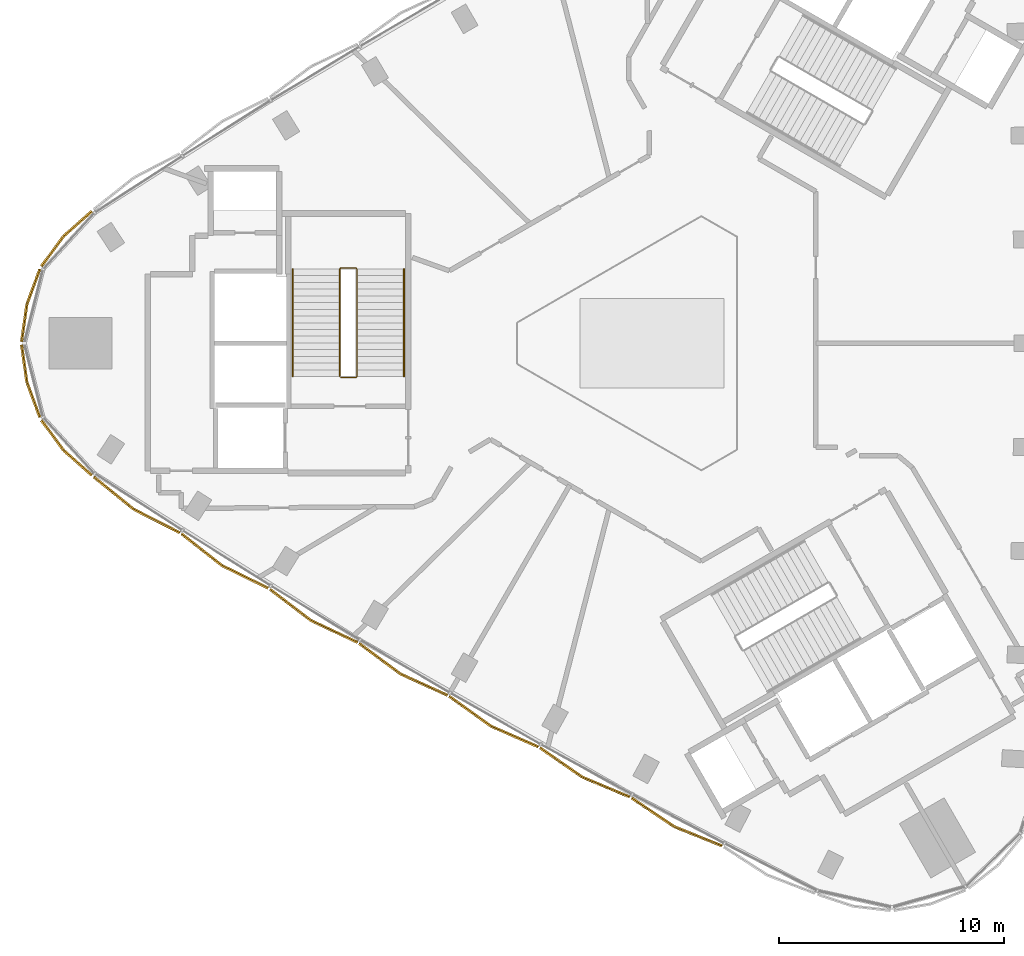
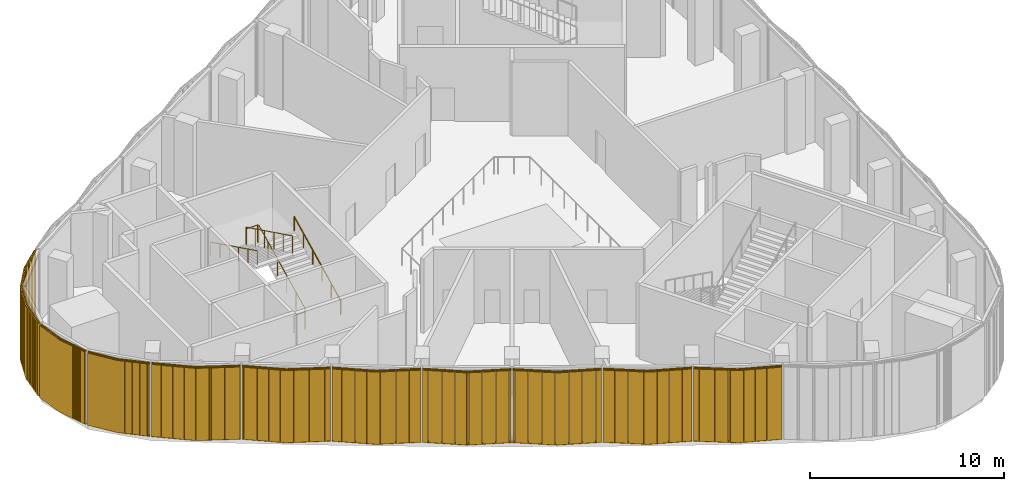
# One storey, part 11 of 15: 11 coverings, 3 railings.
"""IFC4 building model written with IfcOpenShell, lengths in metres."""

import ifcopenshell
import ifcopenshell.guid

model = None  # the IFC model being written
_history = None  # IfcOwnerHistory: only IFC2X3 demands one
_inside = {}  # id of a spatial element -> (the spatial element, [elements in it])
_under = {}  # id of a project, library or spatial element -> (it, [spatial elements below it])
_declared = {}  # id of a project -> (the project, [libraries it declares])
_typed = {}  # id of a type object -> (the type object, [elements of that type])
_made_of = {}  # id of a material, layer set ... -> (it, [elements and type objects made of it])


def new_model(schema):
    """Start an empty IFC model of exactly this schema.

    Asked for "IFC4X3", IfcOpenShell would pick the latest addendum, in which some entities
    have other attributes; the version numbers below select the first issue.
    IFC2X3 requires an IfcOwnerHistory on every rooted entity: one is made here for all.
    """
    global model, _history
    if schema == "IFC4X3":
        model = ifcopenshell.file(schema_version=(4, 3, 0, 0))
    else:
        model = ifcopenshell.file(schema=schema)
    _inside.clear()
    _under.clear()
    _declared.clear()
    _typed.clear()
    _made_of.clear()
    _history = None
    if model.schema == "IFC2X3":
        org = make("IfcOrganization", Name="unknown")
        user = make(
            "IfcPersonAndOrganization",
            ThePerson=make("IfcPerson", FamilyName="unknown"),
            TheOrganization=org,
        )
        app = make(
            "IfcApplication",
            ApplicationDeveloper=org,
            Version="unknown",
            ApplicationFullName="unknown",
            ApplicationIdentifier="unknown",
        )
        _history = make(
            "IfcOwnerHistory",
            OwningUser=user,
            OwningApplication=app,
            ChangeAction="ADDED",
            CreationDate=0,
        )
    return model


def make(cls, **values):
    """One entity of the class cls with the attributes given. An attribute that is None is left unset."""
    return model.create_entity(
        cls, **{name: value for name, value in values.items() if value is not None}
    )


def rooted(cls, **values):
    """An entity with a GlobalId (a new one), such as an element, a storey or a relation."""
    return make(cls, GlobalId=ifcopenshell.guid.new(), OwnerHistory=_history, **values)


def si_unit(unit_type, name, prefix=None):
    """IfcSIUnit, for example si_unit("LENGTHUNIT", "METRE", prefix="MILLI")."""
    return make("IfcSIUnit", UnitType=unit_type, Prefix=prefix, Name=name)


def assignment(units):
    """IfcUnitAssignment: the units of a project."""
    return None if units is None else make("IfcUnitAssignment", Units=units)


def point(xyz):
    """IfcCartesianPoint."""
    return None if xyz is None else make("IfcCartesianPoint", Coordinates=xyz)


def direction(xyz):
    """IfcDirection."""
    return None if xyz is None else make("IfcDirection", DirectionRatios=xyz)


def frame(location, z_axis=None, x_axis=None):
    """IfcAxis2Placement3D, a coordinate frame: its origin and axes. An axis left out is left unset."""
    return make(
        "IfcAxis2Placement3D",
        Location=point(location),
        Axis=direction(z_axis),
        RefDirection=direction(x_axis),
    )


def frame_2d(location, x_axis=None):
    """IfcAxis2Placement2D, a coordinate frame in the plane: its origin and x axis."""
    return make(
        "IfcAxis2Placement2D", Location=point(location), RefDirection=direction(x_axis)
    )


def origin():
    """The frame at (0, 0, 0) with its axes left unset."""
    return frame((0.0, 0.0, 0.0))


def origin_2d():
    """The frame at (0, 0) in the plane with its x axis left unset."""
    return frame_2d((0.0, 0.0))


def place(relative_to, where):
    """IfcLocalPlacement: puts the frame where relative to a parent placement (None: the world)."""
    return make(
        "IfcLocalPlacement", PlacementRelTo=relative_to, RelativePlacement=where
    )


def context(
    kind, dimensions, precision=None, world=None, true_north=None, identifier=None
):
    """IfcGeometricRepresentationContext, for example the 3D "Model" context."""
    return make(
        "IfcGeometricRepresentationContext",
        ContextIdentifier=identifier,
        ContextType=kind,
        CoordinateSpaceDimension=dimensions,
        Precision=precision,
        WorldCoordinateSystem=world,
        TrueNorth=true_north,
    )


def subcontext(parent, identifier, kind, view, scale=None):
    """IfcGeometricRepresentationSubContext, for example "Body" below "Model"."""
    return make(
        "IfcGeometricRepresentationSubContext",
        ContextIdentifier=identifier,
        ContextType=kind,
        ParentContext=parent,
        TargetScale=scale,
        TargetView=view,
    )


def project(units=None, contexts=None):
    """IfcProject with its units and contexts."""
    return rooted(
        "IfcProject",
        Name="project",
        RepresentationContexts=contexts,
        UnitsInContext=assignment(units),
    )


def spatial(cls, under=None, at=None, **own):
    """A site, building, storey or space (cls), placed at a placement, below another one or the project."""
    s = rooted(cls, ObjectPlacement=at, **own)
    if under is not None:
        _under.setdefault(under.id(), (under, []))[1].append(s)
    return s


def profile(cls, at=None, kind="AREA", **sizes):
    """A parametric profile (cls). Its sizes go by their IFC names, for example OverallWidth=200.0."""
    return make(cls, ProfileType=kind, Position=at, **sizes)


def rectangle(**sizes):
    """IfcRectangleProfileDef."""
    return profile("IfcRectangleProfileDef", **sizes)


def circle(**sizes):
    """IfcCircleProfileDef."""
    return profile("IfcCircleProfileDef", **sizes)


def extrude(swept, where, along, depth):
    """IfcExtrudedAreaSolid: the profile swept, set in the frame where, extruded along a direction by depth."""
    return make(
        "IfcExtrudedAreaSolid",
        SweptArea=swept,
        Position=where,
        ExtrudedDirection=direction(along),
        Depth=depth,
    )


def shape(context_of_items, identifier, shape_type, items):
    """IfcShapeRepresentation: the items that make up one representation, for example the "Body"."""
    return make(
        "IfcShapeRepresentation",
        ContextOfItems=context_of_items,
        RepresentationIdentifier=identifier,
        RepresentationType=shape_type,
        Items=items,
    )


def source(mapping_origin, context_of_items, identifier, shape_type, items):
    """IfcRepresentationMap: a shape defined once, which mapped items show again and again."""
    return make(
        "IfcRepresentationMap",
        MappingOrigin=mapping_origin,
        MappedRepresentation=shape(context_of_items, identifier, shape_type, items),
    )


def transform(
    local_origin,
    x_axis=None,
    y_axis=None,
    z_axis=None,
    scale=None,
    scale2=None,
    scale3=None,
    uniform=True,
):
    """IfcCartesianTransformationOperator3D, or its non-uniform kind. x_axis, y_axis, z_axis: its Axis1, 2, 3."""
    if uniform:
        return make(
            "IfcCartesianTransformationOperator3D",
            Axis1=direction(x_axis),
            Axis2=direction(y_axis),
            LocalOrigin=point(local_origin),
            Scale=scale,
            Axis3=direction(z_axis),
        )
    return make(
        "IfcCartesianTransformationOperator3DnonUniform",
        Axis1=direction(x_axis),
        Axis2=direction(y_axis),
        LocalOrigin=point(local_origin),
        Scale=scale,
        Axis3=direction(z_axis),
        Scale2=scale2,
        Scale3=scale3,
    )


def mapped(mapping_source, mapping_target):
    """IfcMappedItem: shows the shape of a source again, moved by a transform."""
    return make(
        "IfcMappedItem", MappingSource=mapping_source, MappingTarget=mapping_target
    )


def material(Name=None, Category=None):
    """IfcMaterial."""
    return make("IfcMaterial", Name=Name, Category=Category)


def made_of(thing, what):
    """Note that an element or type object is made of a material, layer set ...; save() writes the relation."""
    if what is not None:
        _made_of.setdefault(what.id(), (what, []))[1].append(thing)
    return thing


def type_object(cls, material=None, **own):
    """A type object (cls), such as IfcWallType, which elements share."""
    return made_of(rooted(cls, **own), material)


def element(
    cls,
    number,
    at=None,
    inside=None,
    cuts=None,
    type_object=None,
    material=None,
    context=None,
    identifier="Body",
    shape_type=None,
    held_by="IfcProductDefinitionShape",
    body=None,
    shapes=None,
    **own,
):
    """One element of the class cls, such as IfcWall. Its Tag is "e" and its number.

    at: its placement. inside: the storey or other place that contains it. cuts: it is an
    opening in that element (IfcRelVoidsElement). A single representation is given by context,
    identifier, shape_type and body (its items); several are given by shapes. held_by: the class
    of the entity that holds the representations. save() writes the other relations.
    """
    e = rooted(cls, Tag="e%d" % number, ObjectPlacement=at, **own)
    if body is not None:
        shapes = [shape(context, identifier, shape_type, body)]
    if shapes is not None:
        e.Representation = make(held_by, Representations=shapes)
    if inside is not None:
        _inside.setdefault(inside.id(), (inside, []))[1].append(e)
    if cuts is not None:
        rooted(
            "IfcRelVoidsElement", RelatingBuildingElement=cuts, RelatedOpeningElement=e
        )
    if type_object is not None:
        _typed.setdefault(type_object.id(), (type_object, []))[1].append(e)
    return made_of(e, material)


def aggregate(whole, parts):
    """IfcRelAggregates: a whole, such as a stair, and the parts it consists of."""
    return rooted("IfcRelAggregates", RelatingObject=whole, RelatedObjects=parts)


def save(model, path):
    """Write the relations noted so far, then the file.

    IfcRelAggregates (storeys below a building ...), IfcRelContainedInSpatialStructure (elements
    in a storey), IfcRelDefinesByType, IfcRelAssociatesMaterial and IfcRelDeclares: one each for
    every whole, place, type object, material and project.
    """
    for whole, parts in _under.values():
        aggregate(whole, parts)
    for where, things in _inside.values():
        rooted(
            "IfcRelContainedInSpatialStructure",
            RelatedElements=things,
            RelatingStructure=where,
        )
    for kind, things in _typed.values():
        rooted("IfcRelDefinesByType", RelatedObjects=things, RelatingType=kind)
    for what, things in _made_of.values():
        rooted("IfcRelAssociatesMaterial", RelatedObjects=things, RelatingMaterial=what)
    for by, libraries in _declared.values():
        rooted("IfcRelDeclares", RelatingContext=by, RelatedDefinitions=libraries)
    model.write(path)


model = new_model("IFC4")

# Units and contexts
model_context = context("Model", 3, precision=1e-05, world=origin(), true_north=direction((0.0, 1.0)))
body_context = subcontext(model_context, "Body", "Model", "MODEL_VIEW")
ifc_project = project(units=[si_unit("LENGTHUNIT", "METRE"), si_unit("AREAUNIT", "SQUARE_METRE"), si_unit("VOLUMEUNIT", "CUBIC_METRE"), si_unit("PLANEANGLEUNIT", "RADIAN"), si_unit("MASSUNIT", "GRAM", prefix="KILO")], contexts=[model_context])

# Site, building, storey
site_placement = place(None, origin())
site = spatial("IfcSite", under=ifc_project, at=site_placement, CompositionType="ELEMENT")
building_placement = place(site_placement, origin())
building = spatial("IfcBuilding", under=site, at=building_placement, Name="Tamra Quay Hotel Tower", CompositionType="ELEMENT")
storey_placement = place(building_placement, frame((0.0, 0.0, 216.39990234375)))
storey = spatial("IfcBuildingStorey", under=building, at=storey_placement, Name="L54", CompositionType="ELEMENT", Elevation=216.39990234375)

# Railings
ifc_material_1 = material(Name="Stair guard 1100")
railing_type_1 = type_object("IfcRailingType", Name="Stair guard 1100", PredefinedType="GUARDRAIL", material=ifc_material_1)
railing_1_placement = place(storey_placement, frame((-13.84130859375, -1.530029296875, 0.0)))
element("IfcRailing", 1, at=railing_1_placement, inside=storey, type_object=railing_type_1, Name="GR", PredefinedType="GUARDRAIL", context=body_context, shape_type="SweptSolid", body=[
    extrude(circle(Radius=0.02392578125, at=origin_2d()), frame((0.0, 0.0, 1.076171875), z_axis=(1.0, 0.0, 0.0), x_axis=(0.0, 1.0, 0.0)), (0.0, 0.0, 1.0), 0.658935546875),
    extrude(circle(Radius=0.02392578125, at=origin_2d()), frame((0.658935546875, 0.0, 1.076171875), z_axis=(0.306393960863, 0.306393960863, 0.901246626342), x_axis=(-0.707106781187, 0.707106781187, 0.0)), (0.0, 0.0, 1.0), 0.163330078125),
    extrude(circle(Radius=0.02392578125, at=origin_2d()), frame((0.708984375, 0.050048828125, 1.22314453125), z_axis=(0.0, 0.897347884982, 0.441323887092), x_axis=(-1.0, 0.0, 0.0)), (0.0, 0.0, 1.0), 5.331298828125),
    extrude(circle(Radius=0.02392578125, at=origin_2d()), frame((0.708984375, 4.833984375, 3.576171875), z_axis=(-0.707106781187, 0.707106781187, 0.0), x_axis=(-0.707106781187, -0.707106781187, 0.0)), (0.0, 0.0, 1.0), 0.07080078125),
    extrude(circle(Radius=0.02392578125, at=origin_2d()), frame((0.658935546875, 4.884033203125, 3.576171875), z_axis=(-1.0, 0.0, 0.0), x_axis=(0.0, -1.0, 0.0)), (0.0, 0.0, 1.0), 0.658935546875),
    extrude(circle(Radius=0.02392578125, at=origin_2d()), frame((0.0, 4.884033203125, 3.576171875), z_axis=(-0.306393960863, -0.306393960863, 0.901246626342), x_axis=(0.707106781187, -0.707106781187, 0.0)), (0.0, 0.0, 1.0), 0.163330078125),
    extrude(circle(Radius=0.02392578125, at=origin_2d()), frame((-0.050048828125, 4.833984375, 3.72314453125), z_axis=(0.0, -0.897347884982, 0.441323887092), x_axis=(1.0, 0.0, 0.0)), (0.0, 0.0, 1.0), 5.331298828125),
    extrude(circle(Radius=0.02099609375, at=origin_2d()), origin(), (0.0, 0.0, 1.0), 1.052001953125),
    extrude(circle(Radius=0.02099609375, at=origin_2d()), frame((0.658935546875, 0.0, 0.0)), (0.0, 0.0, 1.0), 1.052001953125),
    extrude(circle(Radius=0.02099609375, at=origin_2d()), frame((0.708984375, 0.050048828125, 0.147216796875)), (0.0, 0.0, 1.0), 1.052001953125),
    extrude(circle(Radius=0.02099609375, at=origin_2d()), frame((0.708984375, 1.0068359375, 0.61767578125)), (0.0, 0.0, 1.0), 1.052001953125),
    extrude(circle(Radius=0.02099609375, at=origin_2d()), frame((0.708984375, 1.963623046875, 1.08837890625)), (0.0, 0.0, 1.0), 1.052001953125),
    extrude(circle(Radius=0.02099609375, at=origin_2d()), frame((0.708984375, 2.92041015625, 1.558837890625)), (0.0, 0.0, 1.0), 1.052001953125),
    extrude(circle(Radius=0.02099609375, at=origin_2d()), frame((0.708984375, 3.877197265625, 2.029541015625)), (0.0, 0.0, 1.0), 1.052001953125),
    extrude(circle(Radius=0.02099609375, at=origin_2d()), frame((0.708984375, 4.833984375, 2.5)), (0.0, 0.0, 1.0), 1.052001953125),
    extrude(circle(Radius=0.02099609375, at=origin_2d()), frame((0.658935546875, 4.884033203125, 2.5)), (0.0, 0.0, 1.0), 1.052001953125),
    extrude(circle(Radius=0.02099609375, at=origin_2d()), frame((0.0, 4.884033203125, 2.5)), (0.0, 0.0, 1.0), 1.052001953125),
    extrude(circle(Radius=0.02099609375, at=origin_2d()), frame((-0.050048828125, 4.833984375, 2.647216796875)), (0.0, 0.0, 1.0), 1.052001953125),
    extrude(circle(Radius=0.02099609375, at=origin_2d()), frame((-0.050048828125, 3.877197265625, 3.11767578125)), (0.0, 0.0, 1.0), 1.052001953125),
    extrude(circle(Radius=0.02099609375, at=origin_2d()), frame((-0.050048828125, 2.92041015625, 3.58837890625)), (0.0, 0.0, 1.0), 1.052001953125),
    extrude(circle(Radius=0.02099609375, at=origin_2d()), frame((-0.050048828125, 1.963623046875, 4.058837890625)), (0.0, 0.0, 1.0), 1.052001953125),
    extrude(circle(Radius=0.02099609375, at=origin_2d()), frame((-0.050048828125, 1.0068359375, 4.529541015625)), (0.0, 0.0, 1.0), 1.052001953125),
    extrude(circle(Radius=0.02099609375, at=origin_2d()), frame((-0.050048828125, 0.050048828125, 5.0)), (0.0, 0.0, 1.0), 1.052001953125),
])
ifc_material_2 = material(Name="Stair handrail 900")
railing_type_2 = type_object("IfcRailingType", Name="Stair handrail 900", PredefinedType="HANDRAIL", material=ifc_material_2)
railing_2_placement = place(storey_placement, frame((-11.0322265625, -1.47998046875, 0.147216796875)))
element("IfcRailing", 2, at=railing_2_placement, inside=storey, type_object=railing_type_2, Name="HR", PredefinedType="HANDRAIL", context=body_context, shape_type="SweptSolid", body=[
    extrude(circle(Radius=0.02392578125, at=origin_2d()), frame((0.0, 0.0, 0.8759765625), z_axis=(0.0, 0.897347884982, 0.441323887092), x_axis=(-1.0, 0.0, 0.0)), (0.0, 0.0, 1.0), 5.331298828125),
    extrude(circle(Radius=0.02099609375, at=origin_2d()), origin(), (0.0, 0.0, 1.0), 0.851806640625),
    extrude(circle(Radius=0.02099609375, at=origin_2d()), frame((0.0, 0.956787109375, 0.470458984375)), (0.0, 0.0, 1.0), 0.851806640625),
    extrude(circle(Radius=0.02099609375, at=origin_2d()), frame((0.0, 1.91357421875, 0.941162109375)), (0.0, 0.0, 1.0), 0.851806640625),
    extrude(circle(Radius=0.02099609375, at=origin_2d()), frame((0.0, 2.870361328125, 1.41162109375)), (0.0, 0.0, 1.0), 0.851806640625),
    extrude(circle(Radius=0.02099609375, at=origin_2d()), frame((0.0, 3.8271484375, 1.88232421875)), (0.0, 0.0, 1.0), 0.851806640625),
    extrude(circle(Radius=0.02099609375, at=origin_2d()), frame((0.0, 4.783935546875, 2.352783203125)), (0.0, 0.0, 1.0), 0.851806640625),
])
railing_3_placement = place(storey_placement, frame((-15.9912109375, 3.303955078125, 2.647216796875)))
element("IfcRailing", 3, at=railing_3_placement, inside=storey, type_object=railing_type_2, Name="HR", PredefinedType="HANDRAIL", context=body_context, shape_type="SweptSolid", body=[
    extrude(circle(Radius=0.02392578125, at=origin_2d()), frame((0.0, 0.0, 0.8759765625), z_axis=(0.0, -0.897347884982, 0.441323887092), x_axis=(1.0, 0.0, 0.0)), (0.0, 0.0, 1.0), 5.331298828125),
    extrude(circle(Radius=0.02099609375, at=origin_2d()), origin(), (0.0, 0.0, 1.0), 0.851806640625),
    extrude(circle(Radius=0.02099609375, at=origin_2d()), frame((0.0, -0.956787109375, 0.470458984375)), (0.0, 0.0, 1.0), 0.851806640625),
    extrude(circle(Radius=0.02099609375, at=origin_2d()), frame((0.0, -1.91357421875, 0.941162109375)), (0.0, 0.0, 1.0), 0.851806640625),
    extrude(circle(Radius=0.02099609375, at=origin_2d()), frame((0.0, -2.870361328125, 1.41162109375)), (0.0, 0.0, 1.0), 0.851806640625),
    extrude(circle(Radius=0.02099609375, at=origin_2d()), frame((0.0, -3.8271484375, 1.88232421875)), (0.0, 0.0, 1.0), 0.851806640625),
    extrude(circle(Radius=0.02099609375, at=origin_2d()), frame((0.0, -4.783935546875, 2.352783203125)), (0.0, 0.0, 1.0), 0.851806640625),
])

# Coverings
ifc_material_3 = material(Name="Terracotta baguette extruded", Category="masonry")
covering_type_1 = type_object("IfcCoveringType", Name="BAGUETTE SCREEN CORNER-SHALLOW H4650", PredefinedType="USERDEFINED", material=ifc_material_3)
shared_shape_1 = source(origin(), body_context, "Body", "SweptSolid", [
    extrude(rectangle(XDim=1.671630859375, YDim=0.06005859375, at=frame_2d((0.8359375, 0.030029296875))), frame((-1.668701171875, -0.0576171875, -0.1201171875), z_axis=(0.0, 0.0, 1.0), x_axis=(0.994521895368, -0.104528463268, 0.0)), (0.0, 0.0, 1.0), 0.1201171875),
    extrude(rectangle(XDim=1.671630859375, YDim=0.06005859375, at=frame_2d((0.8359375, 0.030029296875))), frame((-1.668701171875, -0.0576171875, -4.64990234375), z_axis=(0.0, 0.0, 1.0), x_axis=(0.994521895368, -0.104528463268, 0.0)), (0.0, 0.0, 1.0), 0.1201171875),
    extrude(rectangle(XDim=0.094970703125, YDim=0.10009765625, at=frame_2d((0.04736328125, 0.050048828125))), frame((-1.6611328125, -0.133056640625, -4.590087890625)), (0.0, 0.0, 1.0), 4.530029296875),
    extrude(rectangle(XDim=0.094970703125, YDim=0.10009765625, at=frame_2d((0.04736328125, 0.050048828125))), frame((-1.563232421875, -0.143310546875, -4.590087890625)), (0.0, 0.0, 1.0), 4.530029296875),
    extrude(rectangle(XDim=0.094970703125, YDim=0.10009765625, at=frame_2d((0.04736328125, 0.050048828125))), frame((-1.465576171875, -0.15380859375, -4.590087890625)), (0.0, 0.0, 1.0), 4.530029296875),
    extrude(rectangle(XDim=0.094970703125, YDim=0.10009765625, at=frame_2d((0.04736328125, 0.050048828125))), frame((-1.36767578125, -0.1640625, -4.590087890625)), (0.0, 0.0, 1.0), 4.530029296875),
    extrude(rectangle(XDim=0.094970703125, YDim=0.10009765625, at=frame_2d((0.04736328125, 0.050048828125))), frame((-1.27001953125, -0.17431640625, -4.590087890625)), (0.0, 0.0, 1.0), 4.530029296875),
    extrude(rectangle(XDim=0.094970703125, YDim=0.10009765625, at=frame_2d((0.04736328125, 0.050048828125))), frame((-1.172119140625, -0.1845703125, -4.590087890625)), (0.0, 0.0, 1.0), 4.530029296875),
    extrude(rectangle(XDim=0.094970703125, YDim=0.10009765625, at=frame_2d((0.04736328125, 0.050048828125))), frame((-1.07421875, -0.19482421875, -4.590087890625)), (0.0, 0.0, 1.0), 4.530029296875),
    extrude(rectangle(XDim=0.094970703125, YDim=0.10009765625, at=frame_2d((0.04736328125, 0.050048828125))), frame((-0.9765625, -0.205078125, -4.590087890625)), (0.0, 0.0, 1.0), 4.530029296875),
    extrude(rectangle(XDim=0.094970703125, YDim=0.10009765625, at=frame_2d((0.04736328125, 0.050048828125))), frame((-0.878662109375, -0.21533203125, -4.590087890625)), (0.0, 0.0, 1.0), 4.530029296875),
    extrude(rectangle(XDim=0.094970703125, YDim=0.10009765625, at=frame_2d((0.04736328125, 0.050048828125))), frame((-0.781005859375, -0.2255859375, -4.590087890625)), (0.0, 0.0, 1.0), 4.530029296875),
    extrude(rectangle(XDim=0.094970703125, YDim=0.10009765625, at=frame_2d((0.04736328125, 0.050048828125))), frame((-0.68310546875, -0.23583984375, -4.590087890625)), (0.0, 0.0, 1.0), 4.530029296875),
    extrude(rectangle(XDim=0.094970703125, YDim=0.10009765625, at=frame_2d((0.04736328125, 0.050048828125))), frame((-0.58544921875, -0.24609375, -4.590087890625)), (0.0, 0.0, 1.0), 4.530029296875),
    extrude(rectangle(XDim=0.094970703125, YDim=0.10009765625, at=frame_2d((0.04736328125, 0.050048828125))), frame((-0.487548828125, -0.256591796875, -4.590087890625)), (0.0, 0.0, 1.0), 4.530029296875),
    extrude(rectangle(XDim=0.094970703125, YDim=0.10009765625, at=frame_2d((0.04736328125, 0.050048828125))), frame((-0.389892578125, -0.266845703125, -4.590087890625)), (0.0, 0.0, 1.0), 4.530029296875),
    extrude(rectangle(XDim=0.094970703125, YDim=0.10009765625, at=frame_2d((0.04736328125, 0.050048828125))), frame((-0.2919921875, -0.277099609375, -4.590087890625)), (0.0, 0.0, 1.0), 4.530029296875),
    extrude(rectangle(XDim=0.094970703125, YDim=0.10009765625, at=frame_2d((0.04736328125, 0.050048828125))), frame((-0.194091796875, -0.287353515625, -4.590087890625)), (0.0, 0.0, 1.0), 4.530029296875),
    extrude(rectangle(XDim=0.094970703125, YDim=0.10009765625, at=frame_2d((0.04736328125, 0.050048828125))), frame((-0.096435546875, -0.297607421875, -4.590087890625)), (0.0, 0.0, 1.0), 4.530029296875),
    extrude(rectangle(XDim=1.671630859375, YDim=0.06005859375, at=frame_2d((0.8359375, 0.030029296875))), frame((0.00634765625, -0.232421875, -0.1201171875), z_axis=(0.0, 0.0, 1.0), x_axis=(0.994521895368, 0.104528463268, 0.0)), (0.0, 0.0, 1.0), 0.1201171875),
    extrude(rectangle(XDim=1.671630859375, YDim=0.06005859375, at=frame_2d((0.8359375, 0.030029296875))), frame((0.00634765625, -0.232421875, -4.64990234375), z_axis=(0.0, 0.0, 1.0), x_axis=(0.994521895368, 0.104528463268, 0.0)), (0.0, 0.0, 1.0), 0.1201171875),
    extrude(rectangle(XDim=0.094970703125, YDim=0.10009765625, at=frame_2d((0.04736328125, 0.050048828125))), frame((0.00146484375, -0.297607421875, -4.590087890625)), (0.0, 0.0, 1.0), 4.530029296875),
    extrude(rectangle(XDim=0.094970703125, YDim=0.10009765625, at=frame_2d((0.04736328125, 0.050048828125))), frame((0.09912109375, -0.287353515625, -4.590087890625)), (0.0, 0.0, 1.0), 4.530029296875),
    extrude(rectangle(XDim=0.094970703125, YDim=0.10009765625, at=frame_2d((0.04736328125, 0.050048828125))), frame((0.197021484375, -0.277099609375, -4.590087890625)), (0.0, 0.0, 1.0), 4.530029296875),
    extrude(rectangle(XDim=0.094970703125, YDim=0.10009765625, at=frame_2d((0.04736328125, 0.050048828125))), frame((0.294677734375, -0.266845703125, -4.590087890625)), (0.0, 0.0, 1.0), 4.530029296875),
    extrude(rectangle(XDim=0.094970703125, YDim=0.10009765625, at=frame_2d((0.04736328125, 0.050048828125))), frame((0.392578125, -0.256591796875, -4.590087890625)), (0.0, 0.0, 1.0), 4.530029296875),
    extrude(rectangle(XDim=0.094970703125, YDim=0.10009765625, at=frame_2d((0.04736328125, 0.050048828125))), frame((0.490478515625, -0.24609375, -4.590087890625)), (0.0, 0.0, 1.0), 4.530029296875),
    extrude(rectangle(XDim=0.094970703125, YDim=0.10009765625, at=frame_2d((0.04736328125, 0.050048828125))), frame((0.588134765625, -0.23583984375, -4.590087890625)), (0.0, 0.0, 1.0), 4.530029296875),
    extrude(rectangle(XDim=0.094970703125, YDim=0.10009765625, at=frame_2d((0.04736328125, 0.050048828125))), frame((0.68603515625, -0.2255859375, -4.590087890625)), (0.0, 0.0, 1.0), 4.530029296875),
    extrude(rectangle(XDim=0.094970703125, YDim=0.10009765625, at=frame_2d((0.04736328125, 0.050048828125))), frame((0.78369140625, -0.21533203125, -4.590087890625)), (0.0, 0.0, 1.0), 4.530029296875),
    extrude(rectangle(XDim=0.094970703125, YDim=0.10009765625, at=frame_2d((0.04736328125, 0.050048828125))), frame((0.881591796875, -0.205078125, -4.590087890625)), (0.0, 0.0, 1.0), 4.530029296875),
    extrude(rectangle(XDim=0.094970703125, YDim=0.10009765625, at=frame_2d((0.04736328125, 0.050048828125))), frame((0.979248046875, -0.19482421875, -4.590087890625)), (0.0, 0.0, 1.0), 4.530029296875),
    extrude(rectangle(XDim=0.094970703125, YDim=0.10009765625, at=frame_2d((0.04736328125, 0.050048828125))), frame((1.0771484375, -0.1845703125, -4.590087890625)), (0.0, 0.0, 1.0), 4.530029296875),
    extrude(rectangle(XDim=0.094970703125, YDim=0.10009765625, at=frame_2d((0.04736328125, 0.050048828125))), frame((1.175048828125, -0.17431640625, -4.590087890625)), (0.0, 0.0, 1.0), 4.530029296875),
    extrude(rectangle(XDim=0.094970703125, YDim=0.10009765625, at=frame_2d((0.04736328125, 0.050048828125))), frame((1.272705078125, -0.1640625, -4.590087890625)), (0.0, 0.0, 1.0), 4.530029296875),
    extrude(rectangle(XDim=0.094970703125, YDim=0.10009765625, at=frame_2d((0.04736328125, 0.050048828125))), frame((1.37060546875, -0.15380859375, -4.590087890625)), (0.0, 0.0, 1.0), 4.530029296875),
    extrude(rectangle(XDim=0.094970703125, YDim=0.10009765625, at=frame_2d((0.04736328125, 0.050048828125))), frame((1.46826171875, -0.143310546875, -4.590087890625)), (0.0, 0.0, 1.0), 4.530029296875),
    extrude(rectangle(XDim=0.094970703125, YDim=0.10009765625, at=frame_2d((0.04736328125, 0.050048828125))), frame((1.566162109375, -0.133056640625, -4.590087890625)), (0.0, 0.0, 1.0), 4.530029296875),
])
for number, where, z_axis, x_axis, name in (
    (4, (-26.000732421875, 4.607666015625, 4.650146484375), (0.0, 0.0, 1.0), (-0.675437746601, -0.737417012596, 0.0), "Baguette screen L54.NW.c08"),
    (5, (-27.584716796875, 1.669189453125, 4.650146484375), (0.0, 0.0, 1.0), (-0.244676516252, -0.969604766075, 0.0), "Baguette screen L54.NW.c09"),
    (6, (-27.584716796875, -1.669189453125, 4.650146484375), (0.0, 0.0, 1.0), (0.244676516252, -0.969604766075, 0.0), "Baguette screen L54.NW.c10"),
    (7, (-26.000732421875, -4.607666015625, 4.650146484375), (0.0, 0.0, 1.0), (0.675437746601, -0.737417012596, 0.0), "Baguette screen L54.NW.c11"),
):
    element("IfcCovering", number, at=place(storey_placement, frame(where, z_axis=z_axis, x_axis=x_axis)), inside=storey, type_object=covering_type_1, Name=name, ObjectType="BAGUETTE SCREEN", PredefinedType="USERDEFINED", context=body_context, shape_type="MappedRepresentation", body=[
        mapped(shared_shape_1, transform((0.0, 0.0, 0.0), scale=1.0)),
    ])
covering_type_2 = type_object("IfcCoveringType", Name="BAGUETTE SCREEN SW-SHALLOW H4650", PredefinedType="USERDEFINED", material=ifc_material_3)
shared_shape_2 = source(origin(), body_context, "Body", "SweptSolid", [
    extrude(rectangle(XDim=2.295166015625, YDim=0.06005859375, at=frame_2d((1.1474609375, 0.030029296875))), frame((-2.288818359375, -0.0576171875, -0.1201171875), z_axis=(0.0, 0.0, 1.0), x_axis=(0.994521895368, -0.104528463268, 0.0)), (0.0, 0.0, 1.0), 0.1201171875),
    extrude(rectangle(XDim=2.295166015625, YDim=0.06005859375, at=frame_2d((1.1474609375, 0.030029296875))), frame((-2.288818359375, -0.0576171875, -4.64990234375), z_axis=(0.0, 0.0, 1.0), x_axis=(0.994521895368, -0.104528463268, 0.0)), (0.0, 0.0, 1.0), 0.1201171875),
    extrude(rectangle(XDim=0.094970703125, YDim=0.10009765625, at=frame_2d((0.04736328125, 0.050048828125))), frame((-2.2802734375, -0.13330078125, -4.590087890625)), (0.0, 0.0, 1.0), 4.530029296875),
    extrude(rectangle(XDim=0.094970703125, YDim=0.10009765625, at=frame_2d((0.04736328125, 0.050048828125))), frame((-2.18115234375, -0.1435546875, -4.590087890625)), (0.0, 0.0, 1.0), 4.530029296875),
    extrude(rectangle(XDim=0.094970703125, YDim=0.10009765625, at=frame_2d((0.04736328125, 0.050048828125))), frame((-2.081787109375, -0.154052734375, -4.590087890625)), (0.0, 0.0, 1.0), 4.530029296875),
    extrude(rectangle(XDim=0.094970703125, YDim=0.10009765625, at=frame_2d((0.04736328125, 0.050048828125))), frame((-1.982666015625, -0.16455078125, -4.590087890625)), (0.0, 0.0, 1.0), 4.530029296875),
    extrude(rectangle(XDim=0.094970703125, YDim=0.10009765625, at=frame_2d((0.04736328125, 0.050048828125))), frame((-1.88330078125, -0.175048828125, -4.590087890625)), (0.0, 0.0, 1.0), 4.530029296875),
    extrude(rectangle(XDim=0.094970703125, YDim=0.10009765625, at=frame_2d((0.04736328125, 0.050048828125))), frame((-1.7841796875, -0.185302734375, -4.590087890625)), (0.0, 0.0, 1.0), 4.530029296875),
    extrude(rectangle(XDim=0.094970703125, YDim=0.10009765625, at=frame_2d((0.04736328125, 0.050048828125))), frame((-1.68505859375, -0.19580078125, -4.590087890625)), (0.0, 0.0, 1.0), 4.530029296875),
    extrude(rectangle(XDim=0.094970703125, YDim=0.10009765625, at=frame_2d((0.04736328125, 0.050048828125))), frame((-1.585693359375, -0.206298828125, -4.590087890625)), (0.0, 0.0, 1.0), 4.530029296875),
    extrude(rectangle(XDim=0.094970703125, YDim=0.10009765625, at=frame_2d((0.04736328125, 0.050048828125))), frame((-1.486572265625, -0.216552734375, -4.590087890625)), (0.0, 0.0, 1.0), 4.530029296875),
    extrude(rectangle(XDim=0.094970703125, YDim=0.10009765625, at=frame_2d((0.04736328125, 0.050048828125))), frame((-1.38720703125, -0.22705078125, -4.590087890625)), (0.0, 0.0, 1.0), 4.530029296875),
    extrude(rectangle(XDim=0.094970703125, YDim=0.10009765625, at=frame_2d((0.04736328125, 0.050048828125))), frame((-1.2880859375, -0.237548828125, -4.590087890625)), (0.0, 0.0, 1.0), 4.530029296875),
    extrude(rectangle(XDim=0.094970703125, YDim=0.10009765625, at=frame_2d((0.04736328125, 0.050048828125))), frame((-1.188720703125, -0.248046875, -4.590087890625)), (0.0, 0.0, 1.0), 4.530029296875),
    extrude(rectangle(XDim=0.094970703125, YDim=0.10009765625, at=frame_2d((0.04736328125, 0.050048828125))), frame((-1.089599609375, -0.25830078125, -4.590087890625)), (0.0, 0.0, 1.0), 4.530029296875),
    extrude(rectangle(XDim=0.094970703125, YDim=0.10009765625, at=frame_2d((0.04736328125, 0.050048828125))), frame((-0.990234375, -0.268798828125, -4.590087890625)), (0.0, 0.0, 1.0), 4.530029296875),
    extrude(rectangle(XDim=0.094970703125, YDim=0.10009765625, at=frame_2d((0.04736328125, 0.050048828125))), frame((-0.89111328125, -0.279296875, -4.590087890625)), (0.0, 0.0, 1.0), 4.530029296875),
    extrude(rectangle(XDim=0.094970703125, YDim=0.10009765625, at=frame_2d((0.04736328125, 0.050048828125))), frame((-0.791748046875, -0.28955078125, -4.590087890625)), (0.0, 0.0, 1.0), 4.530029296875),
    extrude(rectangle(XDim=0.094970703125, YDim=0.10009765625, at=frame_2d((0.04736328125, 0.050048828125))), frame((-0.692626953125, -0.300048828125, -4.590087890625)), (0.0, 0.0, 1.0), 4.530029296875),
    extrude(rectangle(XDim=0.094970703125, YDim=0.10009765625, at=frame_2d((0.04736328125, 0.050048828125))), frame((-0.59326171875, -0.310546875, -4.590087890625)), (0.0, 0.0, 1.0), 4.530029296875),
    extrude(rectangle(XDim=0.094970703125, YDim=0.10009765625, at=frame_2d((0.04736328125, 0.050048828125))), frame((-0.494140625, -0.321044921875, -4.590087890625)), (0.0, 0.0, 1.0), 4.530029296875),
    extrude(rectangle(XDim=0.094970703125, YDim=0.10009765625, at=frame_2d((0.04736328125, 0.050048828125))), frame((-0.394775390625, -0.331298828125, -4.590087890625)), (0.0, 0.0, 1.0), 4.530029296875),
    extrude(rectangle(XDim=0.094970703125, YDim=0.10009765625, at=frame_2d((0.04736328125, 0.050048828125))), frame((-0.295654296875, -0.341796875, -4.590087890625)), (0.0, 0.0, 1.0), 4.530029296875),
    extrude(rectangle(XDim=0.094970703125, YDim=0.10009765625, at=frame_2d((0.04736328125, 0.050048828125))), frame((-0.1962890625, -0.352294921875, -4.590087890625)), (0.0, 0.0, 1.0), 4.530029296875),
    extrude(rectangle(XDim=0.094970703125, YDim=0.10009765625, at=frame_2d((0.04736328125, 0.050048828125))), frame((-0.09716796875, -0.36279296875, -4.590087890625)), (0.0, 0.0, 1.0), 4.530029296875),
    extrude(rectangle(XDim=2.295166015625, YDim=0.06005859375, at=frame_2d((1.1474609375, 0.030029296875))), frame((0.00634765625, -0.297607421875, -0.1201171875), z_axis=(0.0, 0.0, 1.0), x_axis=(0.994521895368, 0.104528463268, 0.0)), (0.0, 0.0, 1.0), 0.1201171875),
    extrude(rectangle(XDim=2.295166015625, YDim=0.06005859375, at=frame_2d((1.1474609375, 0.030029296875))), frame((0.00634765625, -0.297607421875, -4.64990234375), z_axis=(0.0, 0.0, 1.0), x_axis=(0.994521895368, 0.104528463268, 0.0)), (0.0, 0.0, 1.0), 0.1201171875),
    extrude(rectangle(XDim=0.094970703125, YDim=0.10009765625, at=frame_2d((0.04736328125, 0.050048828125))), frame((0.002197265625, -0.36279296875, -4.590087890625)), (0.0, 0.0, 1.0), 4.530029296875),
    extrude(rectangle(XDim=0.094970703125, YDim=0.10009765625, at=frame_2d((0.04736328125, 0.050048828125))), frame((0.101318359375, -0.352294921875, -4.590087890625)), (0.0, 0.0, 1.0), 4.530029296875),
    extrude(rectangle(XDim=0.094970703125, YDim=0.10009765625, at=frame_2d((0.04736328125, 0.050048828125))), frame((0.20068359375, -0.341796875, -4.590087890625)), (0.0, 0.0, 1.0), 4.530029296875),
    extrude(rectangle(XDim=0.094970703125, YDim=0.10009765625, at=frame_2d((0.04736328125, 0.050048828125))), frame((0.2998046875, -0.331298828125, -4.590087890625)), (0.0, 0.0, 1.0), 4.530029296875),
    extrude(rectangle(XDim=0.094970703125, YDim=0.10009765625, at=frame_2d((0.04736328125, 0.050048828125))), frame((0.399169921875, -0.321044921875, -4.590087890625)), (0.0, 0.0, 1.0), 4.530029296875),
    extrude(rectangle(XDim=0.094970703125, YDim=0.10009765625, at=frame_2d((0.04736328125, 0.050048828125))), frame((0.498291015625, -0.310546875, -4.590087890625)), (0.0, 0.0, 1.0), 4.530029296875),
    extrude(rectangle(XDim=0.094970703125, YDim=0.10009765625, at=frame_2d((0.04736328125, 0.050048828125))), frame((0.59765625, -0.300048828125, -4.590087890625)), (0.0, 0.0, 1.0), 4.530029296875),
    extrude(rectangle(XDim=0.094970703125, YDim=0.10009765625, at=frame_2d((0.04736328125, 0.050048828125))), frame((0.69677734375, -0.28955078125, -4.590087890625)), (0.0, 0.0, 1.0), 4.530029296875),
    extrude(rectangle(XDim=0.094970703125, YDim=0.10009765625, at=frame_2d((0.04736328125, 0.050048828125))), frame((0.796142578125, -0.279296875, -4.590087890625)), (0.0, 0.0, 1.0), 4.530029296875),
    extrude(rectangle(XDim=0.094970703125, YDim=0.10009765625, at=frame_2d((0.04736328125, 0.050048828125))), frame((0.895263671875, -0.268798828125, -4.590087890625)), (0.0, 0.0, 1.0), 4.530029296875),
    extrude(rectangle(XDim=0.094970703125, YDim=0.10009765625, at=frame_2d((0.04736328125, 0.050048828125))), frame((0.99462890625, -0.25830078125, -4.590087890625)), (0.0, 0.0, 1.0), 4.530029296875),
    extrude(rectangle(XDim=0.094970703125, YDim=0.10009765625, at=frame_2d((0.04736328125, 0.050048828125))), frame((1.09375, -0.248046875, -4.590087890625)), (0.0, 0.0, 1.0), 4.530029296875),
    extrude(rectangle(XDim=0.094970703125, YDim=0.10009765625, at=frame_2d((0.04736328125, 0.050048828125))), frame((1.19287109375, -0.237548828125, -4.590087890625)), (0.0, 0.0, 1.0), 4.530029296875),
    extrude(rectangle(XDim=0.094970703125, YDim=0.10009765625, at=frame_2d((0.04736328125, 0.050048828125))), frame((1.292236328125, -0.22705078125, -4.590087890625)), (0.0, 0.0, 1.0), 4.530029296875),
    extrude(rectangle(XDim=0.094970703125, YDim=0.10009765625, at=frame_2d((0.04736328125, 0.050048828125))), frame((1.391357421875, -0.216552734375, -4.590087890625)), (0.0, 0.0, 1.0), 4.530029296875),
    extrude(rectangle(XDim=0.094970703125, YDim=0.10009765625, at=frame_2d((0.04736328125, 0.050048828125))), frame((1.49072265625, -0.206298828125, -4.590087890625)), (0.0, 0.0, 1.0), 4.530029296875),
    extrude(rectangle(XDim=0.094970703125, YDim=0.10009765625, at=frame_2d((0.04736328125, 0.050048828125))), frame((1.58984375, -0.19580078125, -4.590087890625)), (0.0, 0.0, 1.0), 4.530029296875),
    extrude(rectangle(XDim=0.094970703125, YDim=0.10009765625, at=frame_2d((0.04736328125, 0.050048828125))), frame((1.689208984375, -0.185302734375, -4.590087890625)), (0.0, 0.0, 1.0), 4.530029296875),
    extrude(rectangle(XDim=0.094970703125, YDim=0.10009765625, at=frame_2d((0.04736328125, 0.050048828125))), frame((1.788330078125, -0.175048828125, -4.590087890625)), (0.0, 0.0, 1.0), 4.530029296875),
    extrude(rectangle(XDim=0.094970703125, YDim=0.10009765625, at=frame_2d((0.04736328125, 0.050048828125))), frame((1.8876953125, -0.16455078125, -4.590087890625)), (0.0, 0.0, 1.0), 4.530029296875),
    extrude(rectangle(XDim=0.094970703125, YDim=0.10009765625, at=frame_2d((0.04736328125, 0.050048828125))), frame((1.98681640625, -0.154052734375, -4.590087890625)), (0.0, 0.0, 1.0), 4.530029296875),
    extrude(rectangle(XDim=0.094970703125, YDim=0.10009765625, at=frame_2d((0.04736328125, 0.050048828125))), frame((2.086181640625, -0.1435546875, -4.590087890625)), (0.0, 0.0, 1.0), 4.530029296875),
    extrude(rectangle(XDim=0.094970703125, YDim=0.10009765625, at=frame_2d((0.04736328125, 0.050048828125))), frame((2.185302734375, -0.13330078125, -4.590087890625)), (0.0, 0.0, 1.0), 4.530029296875),
])
for number, where, z_axis, x_axis, name in (
    (8, (-22.887451171875, -7.13818359375, 4.650146484375), (0.0, 0.0, 1.0), (0.839178711296, -0.543855762595, 0.0), "Baguette screen L54.SW.f00"),
    (9, (-18.970703125, -9.635986328125, 4.650146484375), (0.0, 0.0, 1.0), (0.847068120111, -0.531484336451, 0.0), "Baguette screen L54.SW.f01"),
    (10, (-15.017578125, -12.075927734375, 4.650146484375), (0.0, 0.0, 1.0), (0.854783128311, -0.518985359673, 0.0), "Baguette screen L54.SW.f02"),
    (11, (-11.029296875, -14.45751953125, 4.650146484375), (0.0, 0.0, 1.0), (0.862321081723, -0.506361878518, 0.0), "Baguette screen L54.SW.f03"),
    (12, (-7.005859375, -16.780517578125, 4.650146484375), (0.0, 0.0, 1.0), (0.869682791166, -0.493611023732, 0.0), "Baguette screen L54.SW.f04"),
    (13, (-2.94921875, -19.043701171875, 4.650146484375), (0.0, 0.0, 1.0), (0.876846069825, -0.480771224007, 0.0), "Baguette screen L54.SW.f05"),
    (14, (1.140380859375, -21.2470703125, 4.650146484375), (0.0, 0.0, 1.0), (0.883812997135, -0.467840342526, 0.0), "Baguette screen L54.SW.f06"),
):
    element("IfcCovering", number, at=place(storey_placement, frame(where, z_axis=z_axis, x_axis=x_axis)), inside=storey, type_object=covering_type_2, Name=name, ObjectType="BAGUETTE SCREEN", PredefinedType="USERDEFINED", context=body_context, shape_type="MappedRepresentation", body=[
        mapped(shared_shape_2, transform((0.0, 0.0, 0.0), scale=1.0)),
    ])

save(model, "model.ifc")
